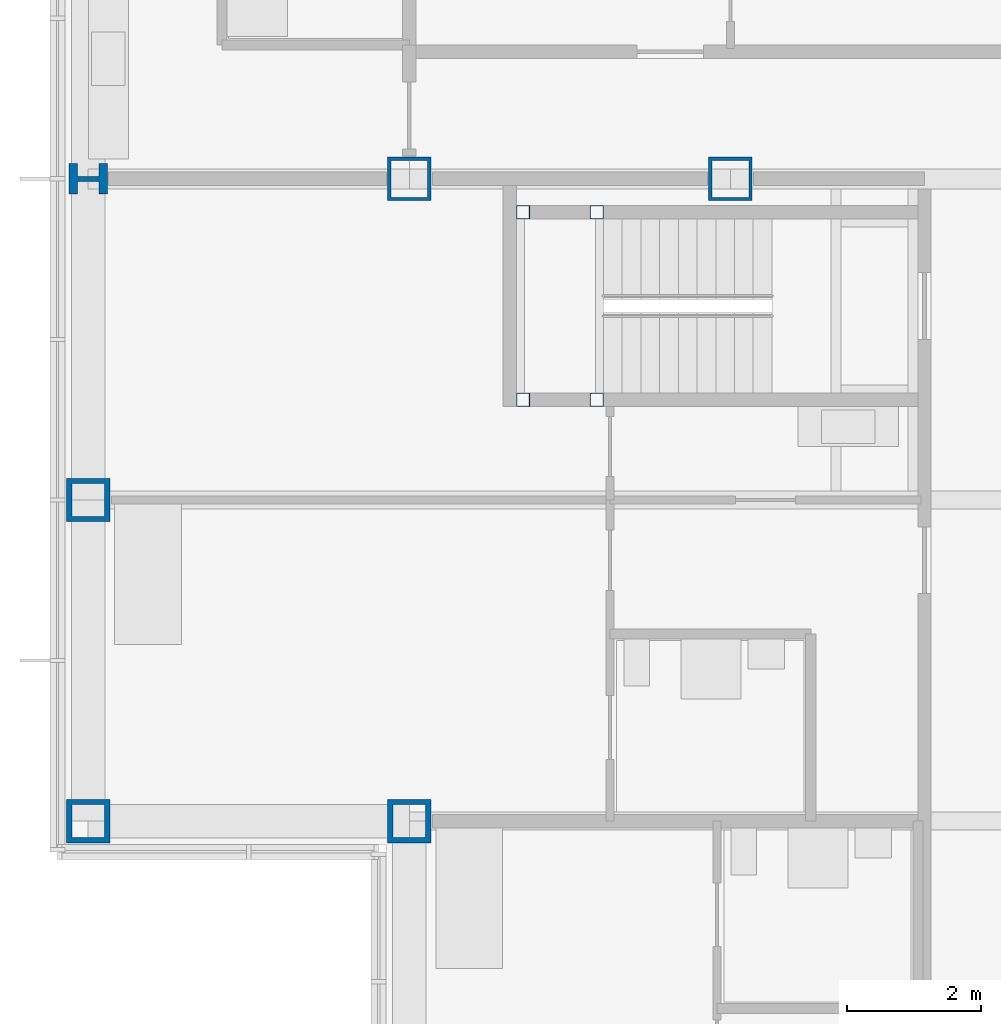
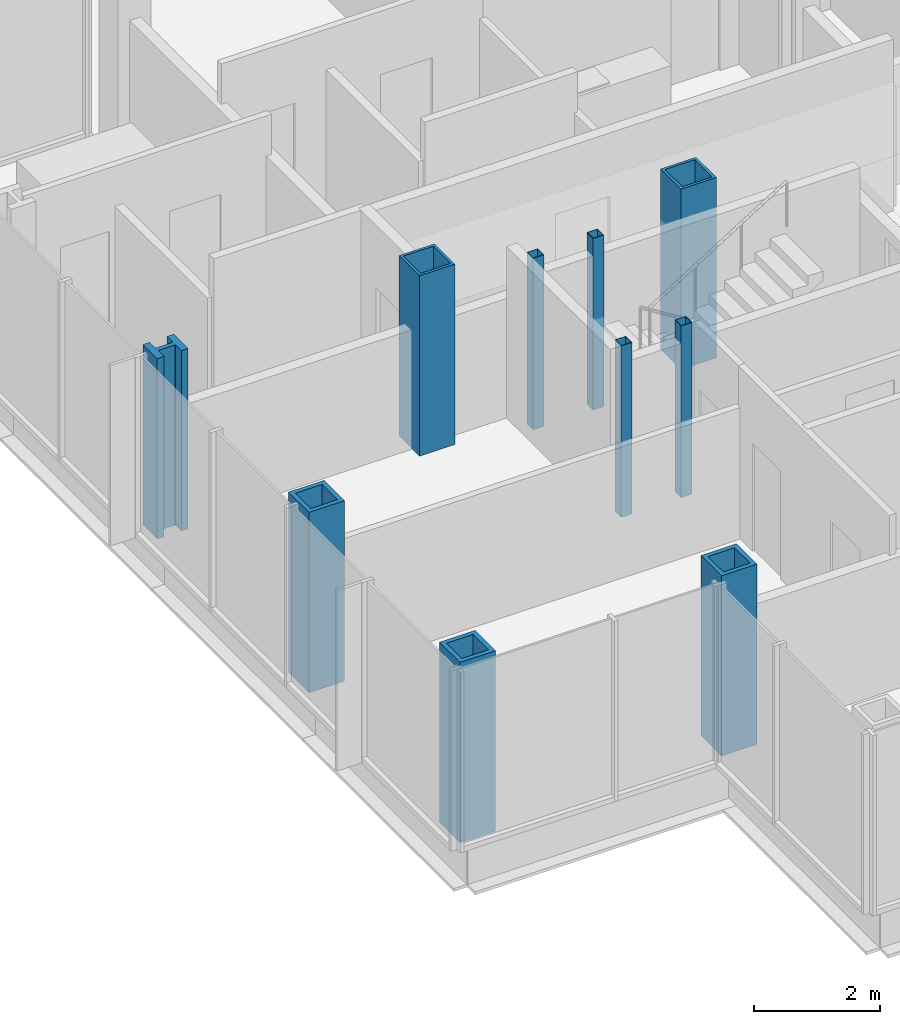
# One storey, part 3 of 20: 10 columns.
"""IFC4 building model written with IfcOpenShell, lengths in metres."""

from ifc_helpers import new_model, si_unit, direction, frame, origin, origin_2d, place, context, subcontext, project, spatial, hollow_rectangle, i_section, extrude, material, material_profile, profile_set, type_object, element, save


model = new_model("IFC4")

# Units and contexts
model_context = context("Model", 3, precision=1e-05, world=origin(), true_north=direction((0.0, 1.0)))
body_context = subcontext(model_context, "Body", "Model", "MODEL_VIEW")
ifc_project = project(units=[si_unit("LENGTHUNIT", "METRE"), si_unit("AREAUNIT", "SQUARE_METRE"), si_unit("VOLUMEUNIT", "CUBIC_METRE"), si_unit("PLANEANGLEUNIT", "RADIAN"), si_unit("MASSUNIT", "GRAM", prefix="KILO")], contexts=[model_context])

# Site, building, storey
site_placement = place(None, origin())
site = spatial("IfcSite", under=ifc_project, at=site_placement, CompositionType="ELEMENT")
building_placement = place(site_placement, origin())
building = spatial("IfcBuilding", under=site, at=building_placement, Name="Kvirike Care Tower", CompositionType="ELEMENT")
storey_placement = place(building_placement, frame((0.0, 0.0, 101.5)))
storey = spatial("IfcBuildingStorey", under=building, at=storey_placement, Name="L27", CompositionType="ELEMENT", Elevation=101.5)

# Columns
ifc_material_1 = material(Name="Steel S460", Category="steel")
ifc_material_profile_1 = material_profile(ifc_material_1, hollow_rectangle(XDim=0.64990234375, YDim=0.64990234375, WallThickness=0.050048828125, at=origin_2d()), Name="BX 650x650x50")
ifc_profile_set_1 = profile_set([ifc_material_profile_1], Name="Steel S460")
column_type_1 = type_object("IfcColumnType", Name="COLUMN BX 650x650x50", PredefinedType="COLUMN", material=ifc_profile_set_1)
for number, where, z_axis, x_axis, name in (
    (1, (4.800048828125, 43.199951171875, 0.0), (0.0, 0.0, 1.0), (0.0, 1.0, 0.0), "Column K4 L27"),
    (2, (9.60009765625, 43.199951171875, 0.0), (0.0, 0.0, 1.0), (0.0, 1.0, 0.0), "Column K5 L27"),
):
    element("IfcColumn", number, at=place(storey_placement, frame(where, z_axis=z_axis, x_axis=x_axis)), inside=storey, type_object=column_type_1, Name=name, PredefinedType="COLUMN", context=body_context, shape_type="SweptSolid", body=[
        extrude(hollow_rectangle(XDim=0.64990234375, YDim=0.64990234375, WallThickness=0.050048828125, at=origin_2d()), origin(), (0.0, 0.0, 1.0), 3.5),
    ])
ifc_material_2 = material(Name="Steel S460", Category="steel")
ifc_material_profile_2 = material_profile(ifc_material_2, hollow_rectangle(XDim=0.64990234375, YDim=0.64990234375, WallThickness=0.080078125, at=origin_2d()), Name="BX 650x650x80")
ifc_profile_set_2 = profile_set([ifc_material_profile_2], Name="Steel S460")
column_type_2 = type_object("IfcColumnType", Name="COLUMN BX 650x650x80", PredefinedType="COLUMN", material=ifc_profile_set_2)
for number, where, z_axis, x_axis, name in (
    (3, (0.0, 33.60009765625, 0.0), (0.0, 0.0, 1.0), (0.0, 1.0, 0.0), "Column H3 L27"),
    (4, (0.0, 38.39990234375, 0.0), (0.0, 0.0, 1.0), (1.0, 0.0, 0.0), "Column J3 L27"),
    (5, (4.800048828125, 33.60009765625, 0.0), (0.0, 0.0, 1.0), (0.0, 1.0, 0.0), "Column H4 L27"),
):
    element("IfcColumn", number, at=place(storey_placement, frame(where, z_axis=z_axis, x_axis=x_axis)), inside=storey, type_object=column_type_2, Name=name, PredefinedType="COLUMN", context=body_context, shape_type="SweptSolid", body=[
        extrude(hollow_rectangle(XDim=0.64990234375, YDim=0.64990234375, WallThickness=0.080078125, at=origin_2d()), origin(), (0.0, 0.0, 1.0), 3.5),
    ])
ifc_material_3 = material(Name="Steel S460", Category="steel")
ifc_material_profile_3 = material_profile(ifc_material_3, i_section(OverallWidth=0.4541015625, OverallDepth=0.569091796875, WebThickness=0.077880859375, FlangeThickness=0.125, FilletRadius=0.014892578125, at=origin_2d()), Name="HD 400x1086")
ifc_profile_set_3 = profile_set([ifc_material_profile_3], Name="Steel S460")
column_type_3 = type_object("IfcColumnType", Name="COLUMN HD 400x1086", PredefinedType="COLUMN", material=ifc_profile_set_3)
column_placement = place(storey_placement, frame((0.0, 43.199951171875, 0.0), z_axis=(0.0, 0.0, 1.0), x_axis=(0.0, 1.0, 0.0)))
element("IfcColumn", 6, at=column_placement, inside=storey, type_object=column_type_3, Name="Column K3 L27", PredefinedType="COLUMN", context=body_context, shape_type="SweptSolid", body=[
    extrude(i_section(OverallWidth=0.4541015625, OverallDepth=0.569091796875, WebThickness=0.077880859375, FlangeThickness=0.125, FilletRadius=0.014892578125, at=origin_2d()), origin(), (0.0, 0.0, 1.0), 3.5),
])
ifc_material_4 = material(Name="Steel S460", Category="steel")
ifc_material_profile_4 = material_profile(ifc_material_4, hollow_rectangle(XDim=0.199951171875, YDim=0.199951171875, WallThickness=0.008056640625, at=origin_2d()), Name="SHS 200x200x8")
ifc_profile_set_4 = profile_set([ifc_material_profile_4], Name="Steel S460")
column_type_4 = type_object("IfcColumnType", Name="STAIR POST SHS 200x200x8", PredefinedType="COLUMN", material=ifc_profile_set_4)
for number, where, z_axis, x_axis, name in (
    (7, (6.5, 42.699951171875, 0.0), (0.0, 0.0, 1.0), (1.0, 0.0, 0.0), "Stair 1 post 1 L27"),
    (8, (6.5, 39.89990234375, 0.0), (0.0, 0.0, 1.0), (1.0, 0.0, 0.0), "Stair 1 post 2 L27"),
    (9, (7.60009765625, 42.699951171875, 0.0), (0.0, 0.0, 1.0), (1.0, 0.0, 0.0), "Stair 1 post 3 L27"),
    (10, (7.60009765625, 39.89990234375, 0.0), (0.0, 0.0, 1.0), (1.0, 0.0, 0.0), "Stair 1 post 4 L27"),
):
    element("IfcColumn", number, at=place(storey_placement, frame(where, z_axis=z_axis, x_axis=x_axis)), inside=storey, type_object=column_type_4, Name=name, PredefinedType="COLUMN", context=body_context, shape_type="SweptSolid", body=[
        extrude(hollow_rectangle(XDim=0.199951171875, YDim=0.199951171875, WallThickness=0.008056640625, at=origin_2d()), origin(), (0.0, 0.0, 1.0), 3.330078125),
    ])

save(model, "model.ifc")
